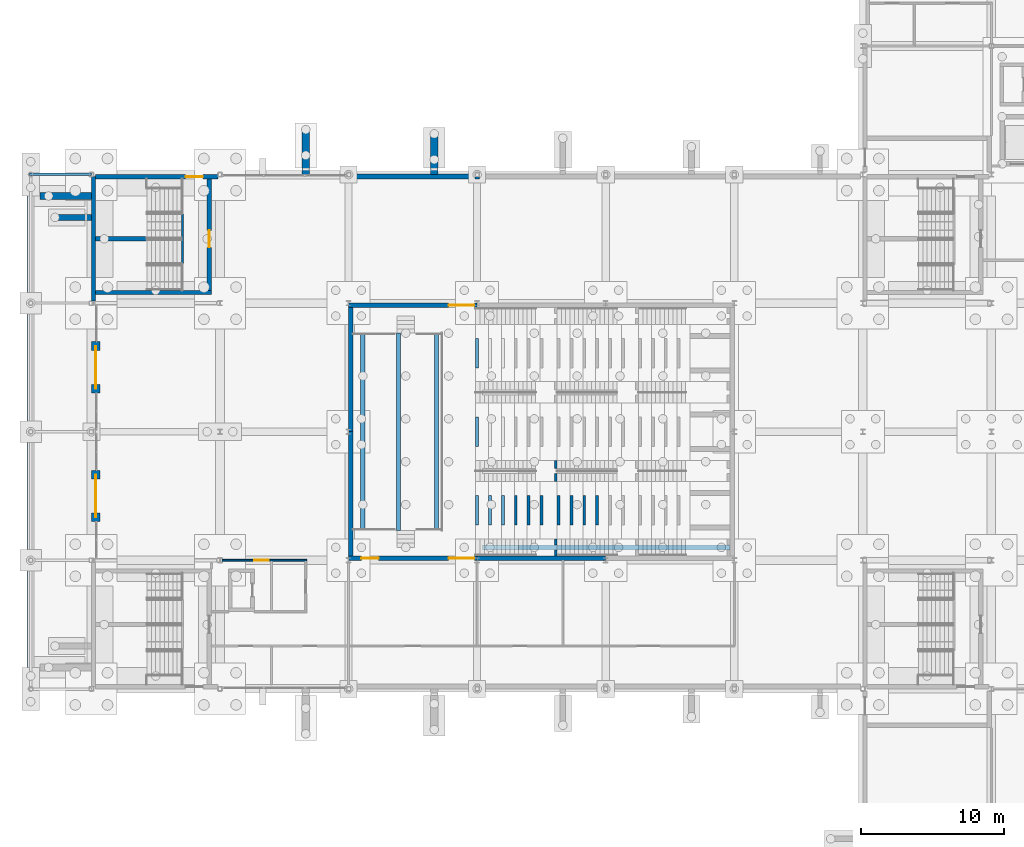
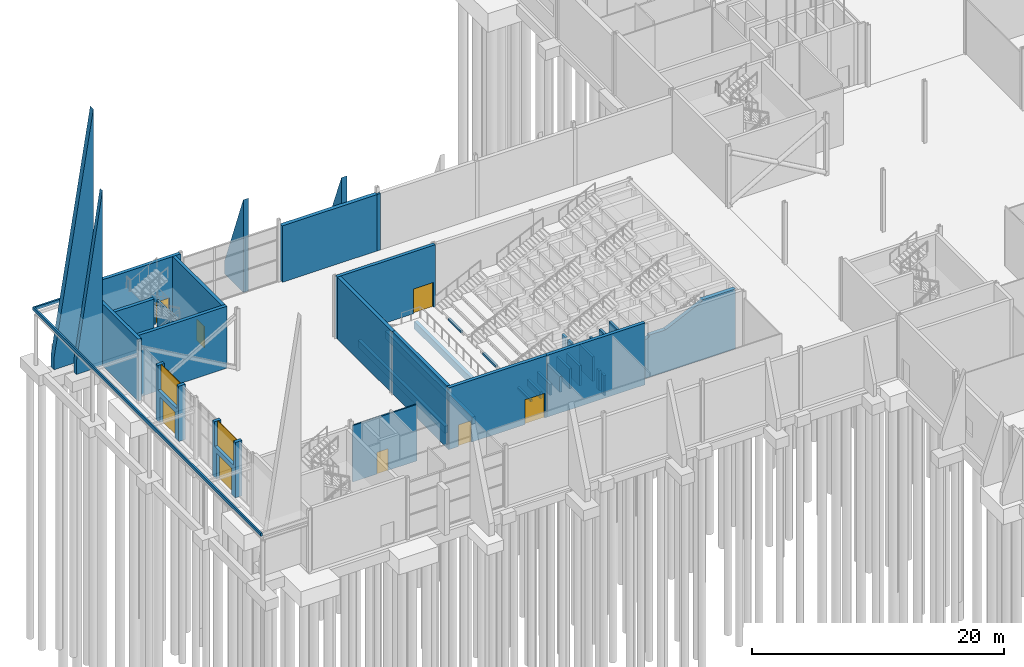
# One storey, part 105 of 139: 42 walls, 8 doors, 2 windows, 10 openings.
"""IFC4 building model written with IfcOpenShell, lengths in metres."""

from ifc_helpers import new_model, si_unit, direction, frame, frame_2d, origin, place, context, subcontext, project, spatial, polyline, rectangle, outline, extrude, material, layer, layer_set, type_object, element, fill, save


model = new_model("IFC4")

# Units and contexts
model_context = context("Model", 3, precision=1e-05, world=origin(), true_north=direction((0.0, 1.0)))
body_context = subcontext(model_context, "Body", "Model", "MODEL_VIEW")
ifc_project = project(units=[si_unit("LENGTHUNIT", "METRE"), si_unit("AREAUNIT", "SQUARE_METRE"), si_unit("VOLUMEUNIT", "CUBIC_METRE"), si_unit("PLANEANGLEUNIT", "RADIAN"), si_unit("MASSUNIT", "GRAM", prefix="KILO")], contexts=[model_context])

# Site, building, storey
site_placement = place(None, origin())
site = spatial("IfcSite", under=ifc_project, at=site_placement, CompositionType="ELEMENT")
building_placement = place(site_placement, origin())
building = spatial("IfcBuilding", under=site, at=building_placement, Name="Shorebreak Coast Museum", CompositionType="ELEMENT")
storey_placement = place(building_placement, origin())
storey = spatial("IfcBuildingStorey", under=building, at=storey_placement, Name="L00", CompositionType="ELEMENT", Elevation=0.0)

# Walls
ifc_material_1 = material(Name="Concrete N50 (50 MPa)", Category="concrete")
ifc_layer_1 = layer(ifc_material_1, 0.14990234375)
ifc_layer_set_1 = layer_set([ifc_layer_1], Name="Concrete N50 (50 MPa)")
wall_type_1 = type_object("IfcWallType", Name="Arcade roof upstand 150", PredefinedType="PARAPET", material=ifc_layer_set_1)
wall_1_placement = place(storey_placement, frame((-4.425048828125, 53.89990234375, 5.0), z_axis=(0.0, 0.0, 1.0), x_axis=(0.0, 1.0, 0.0)))
element("IfcWall", 1, at=wall_1_placement, inside=storey, type_object=wall_type_1, Name="Arcade roof upstand west 1", PredefinedType="PARAPET", context=body_context, shape_type="SweptSolid", body=[
    extrude(rectangle(XDim=36.2001953125, YDim=0.14990234375, at=frame_2d((18.10009765625, 0.0))), origin(), (0.0, 0.0, 1.0), 0.300048828125),
])
wall_2_placement = place(storey_placement, frame((0.0, 90.02490234375, 5.0), z_axis=(0.0, 0.0, 1.0), x_axis=(-1.0, 0.0, 0.0)))
element("IfcWall", 2, at=wall_2_placement, inside=storey, type_object=wall_type_1, Name="Arcade roof upstand west 1 end 2", PredefinedType="PARAPET", context=body_context, shape_type="SweptSolid", body=[
    extrude(rectangle(XDim=4.35009765625, YDim=0.14990234375, at=frame_2d((2.175048828125, 0.0))), origin(), (0.0, 0.0, 1.0), 0.300048828125),
])
ifc_material_2 = material(Name="Concrete N50 (50 MPa)", Category="concrete")
ifc_layer_2 = layer(ifc_material_2, 0.175048828125)
ifc_layer_set_2 = layer_set([ifc_layer_2], Name="Concrete N50 (50 MPa)")
wall_type_2 = type_object("IfcWallType", Name="Column closure panel 175", PredefinedType="SOLIDWALL", material=ifc_layer_set_2)
wall_3_placement = place(storey_placement, frame((26.839111328125, 89.762451171875, 0.0), z_axis=(0.0, 0.0, 1.0), x_axis=(1.0, 0.0, 0.0)))
element("IfcWall", 3, at=wall_3_placement, inside=storey, type_object=wall_type_2, Name="Column closure panel L00 N 4L", PredefinedType="SOLIDWALL", context=body_context, shape_type="SweptSolid", body=[
    extrude(rectangle(XDim=0.32177734375, YDim=0.175048828125, at=frame_2d((0.160888671875, 0.0))), origin(), (0.0, 0.0, 1.0), 5.469482421875),
])

# Wall, openings, door, window
ifc_material_3 = material(Name="Concrete N50 (50 MPa)", Category="concrete")
ifc_layer_3 = layer(ifc_material_3, 0.60009765625)
ifc_layer_set_3 = layer_set([ifc_layer_3], Name="Concrete N50 (50 MPa)")
wall_type_3 = type_object("IfcWallType", Name="Entrance portal panel 600", PredefinedType="SOLIDWALL", material=ifc_layer_set_3)
wall_4_placement = place(storey_placement, frame((0.300048828125, 65.699951171875, 0.0), z_axis=(0.0, 0.0, 1.0), x_axis=(0.0, 1.0, 0.0)))
wall_4 = element("IfcWall", 4, at=wall_4_placement, inside=storey, type_object=wall_type_3, Name="Entrance portal ENT-W", PredefinedType="SOLIDWALL", context=body_context, shape_type="SweptSolid", body=[
    extrude(rectangle(XDim=3.60009765625, YDim=0.60009765625, at=frame_2d((1.800048828125, 0.0))), origin(), (0.0, 0.0, 1.0), 5.364501953125),
])
opening_1_placement = place(wall_4_placement, frame((0.60009765625, 0.0, 0.0)))
opening_1 = element("IfcOpeningElement", 5, at=opening_1_placement, cuts=wall_4, Name="Opening D0907", PredefinedType="OPENING", context=body_context, shape_type="SweptSolid", body=[
    extrude(rectangle(XDim=2.39990234375, YDim=2.5, at=frame_2d((1.199951171875, 1.25))), frame((0.0, 0.31005859375, 0.0), z_axis=(0.0, -1.0, 0.0), x_axis=(1.0, 0.0, 0.0)), (0.0, 0.0, 1.0), 0.6201171875),
])
opening_2_placement = place(wall_4_placement, frame((0.300048828125, 0.0, 3.0)))
opening_2 = element("IfcOpeningElement", 6, at=opening_2_placement, cuts=wall_4, Name="Opening WN0013", PredefinedType="OPENING", context=body_context, shape_type="SweptSolid", body=[
    extrude(rectangle(XDim=3.0, YDim=2.39990234375, at=frame_2d((1.5, 1.199951171875))), frame((0.0, 0.31005859375, 0.0), z_axis=(0.0, -1.0, 0.0), x_axis=(1.0, 0.0, 0.0)), (0.0, 0.0, 1.0), 0.6201171875),
])
ifc_material_4 = material(Name="Aluminium", Category="aluminium")
door_type_1 = type_object("IfcDoorType", Name="Entrance automatic sliding pair 2400 x 2500", OperationType="DOUBLE_DOOR_SLIDING", PredefinedType="DOOR", material=ifc_material_4)
door_1_placement = place(opening_1_placement, origin())
door_1 = element("IfcDoor", 7, at=door_1_placement, inside=storey, type_object=door_type_1, Name="Main entrance ENT-W D0907", OperationType="DOUBLE_DOOR_SLIDING", OverallHeight=2.5, OverallWidth=2.39990234375, PredefinedType="DOOR", context=body_context, shape_type="SweptSolid", body=[
    extrude(rectangle(XDim=2.39990234375, YDim=2.5, at=frame_2d((1.199951171875, 1.25))), frame((0.0, 0.02490234375, 0.0), z_axis=(0.0, -1.0, 0.0), x_axis=(1.0, 0.0, 0.0)), (0.0, 0.0, 1.0), 0.050048828125),
])
fill(opening_1, door_1)
ifc_material_5 = material(Name="Aluminium", Category="aluminium")
window_type = type_object("IfcWindowType", Name="Entrance transom light 3000 x 2400", PartitioningType="SINGLE_PANEL", PredefinedType="WINDOW", material=ifc_material_5)
window_1_placement = place(opening_2_placement, origin())
window_1 = element("IfcWindow", 8, at=window_1_placement, inside=storey, type_object=window_type, Name="Window WN0013", OverallHeight=2.39990234375, OverallWidth=3.0, PartitioningType="SINGLE_PANEL", PredefinedType="WINDOW", context=body_context, shape_type="SweptSolid", body=[
    extrude(rectangle(XDim=3.0, YDim=2.39990234375, at=frame_2d((1.5, 1.199951171875))), frame((0.0, 0.030029296875, 0.0), z_axis=(0.0, -1.0, 0.0), x_axis=(1.0, 0.0, 0.0)), (0.0, 0.0, 1.0), 0.06005859375),
])
fill(opening_2, window_1)

wall_5_placement = place(storey_placement, frame((0.300048828125, 74.699951171875, 0.0), z_axis=(0.0, 0.0, 1.0), x_axis=(0.0, 1.0, 0.0)))
wall_5 = element("IfcWall", 9, at=wall_5_placement, inside=storey, type_object=wall_type_3, Name="Entrance portal ENT-W", PredefinedType="SOLIDWALL", context=body_context, shape_type="SweptSolid", body=[
    extrude(rectangle(XDim=3.60009765625, YDim=0.60009765625, at=frame_2d((1.800048828125, 0.0))), origin(), (0.0, 0.0, 1.0), 5.364501953125),
])
opening_3_placement = place(wall_5_placement, frame((0.60009765625, 0.0, 0.0)))
opening_3 = element("IfcOpeningElement", 10, at=opening_3_placement, cuts=wall_5, Name="Opening D0908", PredefinedType="OPENING", context=body_context, shape_type="SweptSolid", body=[
    extrude(rectangle(XDim=2.39990234375, YDim=2.5, at=frame_2d((1.199951171875, 1.25))), frame((0.0, 0.31005859375, 0.0), z_axis=(0.0, -1.0, 0.0), x_axis=(1.0, 0.0, 0.0)), (0.0, 0.0, 1.0), 0.6201171875),
])
opening_4_placement = place(wall_5_placement, frame((0.300048828125, 0.0, 3.0)))
opening_4 = element("IfcOpeningElement", 11, at=opening_4_placement, cuts=wall_5, Name="Opening WN0014", PredefinedType="OPENING", context=body_context, shape_type="SweptSolid", body=[
    extrude(rectangle(XDim=3.0, YDim=2.39990234375, at=frame_2d((1.5, 1.199951171875))), frame((0.0, 0.31005859375, 0.0), z_axis=(0.0, -1.0, 0.0), x_axis=(1.0, 0.0, 0.0)), (0.0, 0.0, 1.0), 0.6201171875),
])
door_2_placement = place(opening_3_placement, origin())
door_2 = element("IfcDoor", 12, at=door_2_placement, inside=storey, type_object=door_type_1, Name="Main entrance ENT-W D0908", OperationType="DOUBLE_DOOR_SLIDING", OverallHeight=2.5, OverallWidth=2.39990234375, PredefinedType="DOOR", context=body_context, shape_type="SweptSolid", body=[
    extrude(rectangle(XDim=2.39990234375, YDim=2.5, at=frame_2d((1.199951171875, 1.25))), frame((0.0, 0.02490234375, 0.0), z_axis=(0.0, -1.0, 0.0), x_axis=(1.0, 0.0, 0.0)), (0.0, 0.0, 1.0), 0.050048828125),
])
fill(opening_3, door_2)
window_2_placement = place(opening_4_placement, origin())
window_2 = element("IfcWindow", 13, at=window_2_placement, inside=storey, type_object=window_type, Name="Window WN0014", OverallHeight=2.39990234375, OverallWidth=3.0, PartitioningType="SINGLE_PANEL", PredefinedType="WINDOW", context=body_context, shape_type="SweptSolid", body=[
    extrude(rectangle(XDim=3.0, YDim=2.39990234375, at=frame_2d((1.5, 1.199951171875))), frame((0.0, 0.030029296875, 0.0), z_axis=(0.0, -1.0, 0.0), x_axis=(1.0, 0.0, 0.0)), (0.0, 0.0, 1.0), 0.06005859375),
])
fill(opening_4, window_2)

# Wall, opening, door
ifc_material_6 = material(Name="Plasterboard on steel stud", Category="steel")
ifc_layer_4 = layer(ifc_material_6, 0.125)
ifc_layer_set_4 = layer_set([ifc_layer_4], Name="Plasterboard on steel stud")
wall_type_4 = type_object("IfcWallType", Name="Partition 125", PredefinedType="PARTITIONING", material=ifc_layer_set_4)
wall_6_placement = place(storey_placement, frame((9.154541015625, 63.0, 0.0), z_axis=(0.0, 0.0, 1.0), x_axis=(1.0, 0.0, 0.0)))
wall_6 = element("IfcWall", 14, at=wall_6_placement, inside=storey, type_object=wall_type_4, Name="Partition L00-042", PredefinedType="PARTITIONING", context=body_context, shape_type="SweptSolid", body=[
    extrude(rectangle(XDim=5.907958984375, YDim=0.125, at=frame_2d((2.9541015625, 0.0))), origin(), (0.0, 0.0, 1.0), 5.469482421875),
])
opening_5_placement = place(wall_6_placement, frame((2.25, 0.0, 0.0)))
opening_5 = element("IfcOpeningElement", 15, at=opening_5_placement, cuts=wall_6, Name="Opening D0029", PredefinedType="OPENING", context=body_context, shape_type="SweptSolid", body=[
    extrude(rectangle(XDim=1.0, YDim=2.10009765625, at=frame_2d((0.5, 1.050048828125))), frame((0.0, 0.072509765625, 0.0), z_axis=(0.0, -1.0, 0.0), x_axis=(1.0, 0.0, 0.0)), (0.0, 0.0, 1.0), 0.14501953125),
])
ifc_material_7 = material(Name="Timber", Category="wood")
door_type_2 = type_object("IfcDoorType", Name="Interior door 1000x2100", OperationType="SINGLE_SWING_LEFT", PredefinedType="DOOR", material=ifc_material_7)
door_3_placement = place(opening_5_placement, origin())
door_3 = element("IfcDoor", 16, at=door_3_placement, inside=storey, type_object=door_type_2, Name="Door D0029 Cleaner Store W", OperationType="SINGLE_SWING_RIGHT", OverallHeight=2.10009765625, OverallWidth=1.0, PredefinedType="DOOR", context=body_context, shape_type="SweptSolid", body=[
    extrude(rectangle(XDim=1.0, YDim=2.10009765625, at=frame_2d((0.5, 1.050048828125))), frame((0.0, 0.02490234375, 0.0), z_axis=(0.0, -1.0, 0.0), x_axis=(1.0, 0.0, 0.0)), (0.0, 0.0, 1.0), 0.050048828125),
])
fill(opening_5, door_3)

# Walls
ifc_material_8 = material(Name="Concrete N50 (50 MPa)", Category="concrete")
ifc_layer_5 = layer(ifc_material_8, 0.35009765625)
ifc_layer_set_5 = layer_set([ifc_layer_5], Name="Concrete N50 (50 MPa)")
wall_type_5 = type_object("IfcWallType", Name="Precast plinth panel 350", PredefinedType="SOLIDWALL", material=ifc_layer_set_5)
wall_7_placement = place(storey_placement, frame((18.14990234375, 89.85009765625, 0.0), z_axis=(0.0, 0.0, 1.0), x_axis=(1.0, 0.0, 0.0)))
element("IfcWall", 17, at=wall_7_placement, inside=storey, type_object=wall_type_5, Name="External wall L00 N 3L", PredefinedType="SOLIDWALL", context=body_context, shape_type="SweptSolid", body=[
    extrude(rectangle(XDim=8.689208984375, YDim=0.35009765625, at=frame_2d((4.3447265625, 0.0))), origin(), (0.0, 0.0, 1.0), 5.469482421875),
])
ifc_material_9 = material(Name="Concrete N50 (50 MPa)", Category="concrete")
ifc_layer_6 = layer(ifc_material_9, 0.300048828125)
ifc_layer_set_6 = layer_set([ifc_layer_6], Name="Concrete N50 (50 MPa)")
wall_type_6 = type_object("IfcWallType", Name="RC wall 300", PredefinedType="SHEAR", material=ifc_layer_set_6)
wall_8_placement = place(storey_placement, frame((0.300048828125, 81.75, 0.0), z_axis=(0.0, 0.0, 1.0), x_axis=(1.0, 0.0, 0.0)))
element("IfcWall", 18, at=wall_8_placement, inside=storey, type_object=wall_type_6, Name="Stair core wall ST06 L00 S", PredefinedType="SHEAR", context=body_context, shape_type="SweptSolid", body=[
    extrude(rectangle(XDim=8.099853515625, YDim=0.300048828125, at=frame_2d((4.0498046875, 0.0))), origin(), (0.0, 0.0, 1.0), 6.0),
])

# Wall, opening, door
wall_9_placement = place(storey_placement, frame((0.300048828125, 89.85009765625, 0.0), z_axis=(0.0, 0.0, 1.0), x_axis=(1.0, 0.0, 0.0)))
wall_9 = element("IfcWall", 19, at=wall_9_placement, inside=storey, type_object=wall_type_6, Name="Stair core wall ST06 L00 N", PredefinedType="SHEAR", context=body_context, shape_type="SweptSolid", body=[
    extrude(rectangle(XDim=8.550048828125, YDim=0.300048828125, at=frame_2d((4.27490234375, 0.0))), origin(), (0.0, 0.0, 1.0), 6.0),
])
opening_6_placement = place(wall_9_placement, frame((6.300048828125, 0.0, 0.0)))
opening_6 = element("IfcOpeningElement", 20, at=opening_6_placement, cuts=wall_9, Name="Opening D0706", PredefinedType="OPENING", context=body_context, shape_type="SweptSolid", body=[
    extrude(rectangle(XDim=1.199951171875, YDim=2.10009765625, at=frame_2d((0.60009765625, 1.050048828125))), frame((0.0, 0.159912109375, 0.0), z_axis=(0.0, -1.0, 0.0), x_axis=(1.0, 0.0, 0.0)), (0.0, 0.0, 1.0), 0.320068359375),
])
ifc_material_10 = material(Name="Steel Grade 300", Category="steel")
door_type_3 = type_object("IfcDoorType", Name="Exit door 1200x2100", OperationType="SINGLE_SWING_LEFT", PredefinedType="DOOR", material=ifc_material_10)
door_4_placement = place(opening_6_placement, origin())
door_4 = element("IfcDoor", 21, at=door_4_placement, inside=storey, type_object=door_type_3, Name="Exit door ST06", OperationType="SINGLE_SWING_LEFT", OverallHeight=2.10009765625, OverallWidth=1.199951171875, PredefinedType="DOOR", context=body_context, shape_type="SweptSolid", body=[
    extrude(rectangle(XDim=1.199951171875, YDim=2.10009765625, at=frame_2d((0.60009765625, 1.050048828125))), frame((0.0, 0.02490234375, 0.0), z_axis=(0.0, -1.0, 0.0), x_axis=(1.0, 0.0, 0.0)), (0.0, 0.0, 1.0), 0.050048828125),
])
fill(opening_6, door_4)

# Wall
wall_10_placement = place(storey_placement, frame((0.14990234375, 81.14990234375, 0.0), z_axis=(0.0, 0.0, 1.0), x_axis=(0.0, 1.0, 0.0)))
element("IfcWall", 22, at=wall_10_placement, inside=storey, type_object=wall_type_6, Name="Stair core wall ST06 L00 W", PredefinedType="SHEAR", context=body_context, shape_type="SweptSolid", body=[
    extrude(rectangle(XDim=8.7001953125, YDim=0.300048828125, at=frame_2d((4.35009765625, 0.0))), origin(), (0.0, 0.0, 1.0), 6.0),
])

# Wall, opening, door
wall_11_placement = place(storey_placement, frame((8.25, 81.89990234375, 0.0), z_axis=(0.0, 0.0, 1.0), x_axis=(0.0, 1.0, 0.0)))
wall_11 = element("IfcWall", 23, at=wall_11_placement, inside=storey, type_object=wall_type_6, Name="Stair core wall ST06 L00 E", PredefinedType="SHEAR", context=body_context, shape_type="SweptSolid", body=[
    extrude(rectangle(XDim=7.800048828125, YDim=0.300048828125, at=frame_2d((3.89990234375, 0.0))), origin(), (0.0, 0.0, 1.0), 6.0),
])
opening_7_placement = place(wall_11_placement, frame((3.0, 0.0, 0.0)))
opening_7 = element("IfcOpeningElement", 24, at=opening_7_placement, cuts=wall_11, Name="Opening D0806", PredefinedType="OPENING", context=body_context, shape_type="SweptSolid", body=[
    extrude(rectangle(XDim=1.199951171875, YDim=2.10009765625, at=frame_2d((0.60009765625, 1.050048828125))), frame((0.0, 0.159912109375, 0.0), z_axis=(0.0, -1.0, 0.0), x_axis=(1.0, 0.0, 0.0)), (0.0, 0.0, 1.0), 0.320068359375),
])
ifc_material_11 = material(Name="Steel Grade 300", Category="steel")
door_type_4 = type_object("IfcDoorType", Name="Fire door 1200x2100", OperationType="SINGLE_SWING_LEFT", PredefinedType="DOOR", material=ifc_material_11)
door_5_placement = place(opening_7_placement, origin())
door_5 = element("IfcDoor", 25, at=door_5_placement, inside=storey, type_object=door_type_4, Name="Stair door ST06 L00", OperationType="SINGLE_SWING_RIGHT", OverallHeight=2.10009765625, OverallWidth=1.199951171875, PredefinedType="DOOR", context=body_context, shape_type="SweptSolid", body=[
    extrude(rectangle(XDim=1.199951171875, YDim=2.10009765625, at=frame_2d((0.60009765625, 1.050048828125))), frame((0.0, 0.02490234375, 0.0), z_axis=(0.0, -1.0, 0.0), x_axis=(1.0, 0.0, 0.0)), (0.0, 0.0, 1.0), 0.050048828125),
])
fill(opening_7, door_5)

# Wall
wall_12_placement = place(storey_placement, frame((3.89990234375, 85.5, 0.0), z_axis=(0.0, 0.0, 1.0), x_axis=(-1.0, 0.0, 0.0)))
element("IfcWall", 26, at=wall_12_placement, inside=storey, type_object=wall_type_6, Name="Stair spine wall ST06 L00", PredefinedType="SHEAR", context=body_context, shape_type="SweptSolid", body=[
    extrude(rectangle(XDim=3.599853515625, YDim=0.300048828125, at=frame_2d((1.7998046875, 0.0))), origin(), (0.0, 0.0, 1.0), 6.0),
])

# Wall, openings, doors
wall_13_placement = place(storey_placement, frame((18.0, 63.14990234375, 0.0), z_axis=(0.0, 0.0, 1.0), x_axis=(1.0, 0.0, 0.0)))
wall_13 = element("IfcWall", 27, at=wall_13_placement, inside=storey, type_object=wall_type_6, Name="Auditorium wall L00 S1", PredefinedType="SHEAR", context=body_context, shape_type="SweptSolid", body=[
    extrude(rectangle(XDim=9.0, YDim=0.300048828125, at=frame_2d((4.5, 0.0))), origin(), (0.0, 0.0, 1.0), 6.0),
])
opening_8_placement = place(wall_13_placement, frame((7.0, 0.0, 0.0)))
opening_8 = element("IfcOpeningElement", 28, at=opening_8_placement, cuts=wall_13, Name="Opening D0501", PredefinedType="OPENING", context=body_context, shape_type="SweptSolid", body=[
    extrude(rectangle(XDim=1.800048828125, YDim=2.39990234375, at=frame_2d((0.89990234375, 1.199951171875))), frame((0.0, 0.159912109375, 0.0), z_axis=(0.0, -1.0, 0.0), x_axis=(1.0, 0.0, 0.0)), (0.0, 0.0, 1.0), 0.320068359375),
])
opening_9_placement = place(wall_13_placement, frame((0.89990234375, 0.0, 0.0)))
opening_9 = element("IfcOpeningElement", 29, at=opening_9_placement, cuts=wall_13, Name="Opening D0503", PredefinedType="OPENING", context=body_context, shape_type="SweptSolid", body=[
    extrude(rectangle(XDim=1.199951171875, YDim=2.10009765625, at=frame_2d((0.60009765625, 1.050048828125))), frame((0.0, 0.159912109375, 0.0), z_axis=(0.0, -1.0, 0.0), x_axis=(1.0, 0.0, 0.0)), (0.0, 0.0, 1.0), 0.320068359375),
])
ifc_material_12 = material(Name="Steel Grade 300", Category="steel")
door_type_5 = type_object("IfcDoorType", Name="Exit double door 1800x2400", OperationType="DOUBLE_DOOR_SINGLE_SWING", PredefinedType="DOOR", material=ifc_material_12)
door_6_placement = place(opening_8_placement, origin())
door_6 = element("IfcDoor", 30, at=door_6_placement, inside=storey, type_object=door_type_5, Name="Auditorium exit south", OperationType="DOUBLE_DOOR_SINGLE_SWING", OverallHeight=2.39990234375, OverallWidth=1.800048828125, PredefinedType="DOOR", context=body_context, shape_type="SweptSolid", body=[
    extrude(rectangle(XDim=1.800048828125, YDim=2.39990234375, at=frame_2d((0.89990234375, 1.199951171875))), frame((0.0, 0.02490234375, 0.0), z_axis=(0.0, -1.0, 0.0), x_axis=(1.0, 0.0, 0.0)), (0.0, 0.0, 1.0), 0.050048828125),
])
fill(opening_8, door_6)
ifc_material_13 = material(Name="Steel Grade 300", Category="steel")
door_type_6 = type_object("IfcDoorType", Name="Stage door 1200x2100", OperationType="SINGLE_SWING_LEFT", PredefinedType="DOOR", material=ifc_material_13)
door_7_placement = place(opening_9_placement, origin())
door_7 = element("IfcDoor", 31, at=door_7_placement, inside=storey, type_object=door_type_6, Name="Stage door", OperationType="SINGLE_SWING_LEFT", OverallHeight=2.10009765625, OverallWidth=1.199951171875, PredefinedType="DOOR", context=body_context, shape_type="SweptSolid", body=[
    extrude(rectangle(XDim=1.199951171875, YDim=2.10009765625, at=frame_2d((0.60009765625, 1.050048828125))), frame((0.0, 0.02490234375, 0.0), z_axis=(0.0, -1.0, 0.0), x_axis=(1.0, 0.0, 0.0)), (0.0, 0.0, 1.0), 0.050048828125),
])
fill(opening_9, door_7)

# Wall
wall_14_placement = place(storey_placement, frame((27.0, 63.14990234375, 0.0), z_axis=(0.0, 0.0, 1.0), x_axis=(1.0, 0.0, 0.0)))
element("IfcWall", 32, at=wall_14_placement, inside=storey, type_object=wall_type_6, Name="Auditorium wall L00 S2", PredefinedType="SHEAR", context=body_context, shape_type="SweptSolid", body=[
    extrude(rectangle(XDim=9.0, YDim=0.300048828125, at=frame_2d((4.5, 0.0))), origin(), (0.0, 0.0, 1.0), 6.0),
])

# Wall, opening, door
wall_15_placement = place(storey_placement, frame((18.0, 80.85009765625, 0.0), z_axis=(0.0, 0.0, 1.0), x_axis=(1.0, 0.0, 0.0)))
wall_15 = element("IfcWall", 33, at=wall_15_placement, inside=storey, type_object=wall_type_6, Name="Auditorium wall L00 N1", PredefinedType="SHEAR", context=body_context, shape_type="SweptSolid", body=[
    extrude(rectangle(XDim=9.0, YDim=0.300048828125, at=frame_2d((4.5, 0.0))), origin(), (0.0, 0.0, 1.0), 6.0),
])
opening_10_placement = place(wall_15_placement, frame((7.0, 0.0, 0.0)))
opening_10 = element("IfcOpeningElement", 34, at=opening_10_placement, cuts=wall_15, Name="Opening D0502", PredefinedType="OPENING", context=body_context, shape_type="SweptSolid", body=[
    extrude(rectangle(XDim=1.800048828125, YDim=2.39990234375, at=frame_2d((0.89990234375, 1.199951171875))), frame((0.0, 0.159912109375, 0.0), z_axis=(0.0, -1.0, 0.0), x_axis=(1.0, 0.0, 0.0)), (0.0, 0.0, 1.0), 0.320068359375),
])
door_8_placement = place(opening_10_placement, origin())
door_8 = element("IfcDoor", 35, at=door_8_placement, inside=storey, type_object=door_type_5, Name="Auditorium exit north", OperationType="DOUBLE_DOOR_SINGLE_SWING", OverallHeight=2.39990234375, OverallWidth=1.800048828125, PredefinedType="DOOR", context=body_context, shape_type="SweptSolid", body=[
    extrude(rectangle(XDim=1.800048828125, YDim=2.39990234375, at=frame_2d((0.89990234375, 1.199951171875))), frame((0.0, 0.02490234375, 0.0), z_axis=(0.0, -1.0, 0.0), x_axis=(1.0, 0.0, 0.0)), (0.0, 0.0, 1.0), 0.050048828125),
])
fill(opening_10, door_8)

# Walls
for number, where, z_axis, x_axis, name in (
    (36, (18.14990234375, 63.300048828125, 0.0), (0.0, 0.0, 1.0), (0.0, 1.0, 0.0), "Auditorium wall L00 W1"),
    (37, (18.14990234375, 72.0, 0.0), (0.0, 0.0, 1.0), (0.0, 1.0, 0.0), "Auditorium wall L00 W2"),
):
    element("IfcWall", number, at=place(storey_placement, frame(where, z_axis=z_axis, x_axis=x_axis)), inside=storey, type_object=wall_type_6, Name=name, PredefinedType="SHEAR", context=body_context, shape_type="SweptSolid", body=[
        extrude(rectangle(XDim=8.699951171875, YDim=0.300048828125, at=frame_2d((4.35009765625, 0.0))), origin(), (0.0, 0.0, 1.0), 6.0),
    ])
ifc_material_14 = material(Name="Concrete N50 (50 MPa)", Category="concrete")
ifc_layer_7 = layer(ifc_material_14, 0.39990234375)
ifc_layer_set_7 = layer_set([ifc_layer_7], Name="Concrete N50 (50 MPa)")
wall_type_7 = type_object("IfcWallType", Name="Raked fin 400", PredefinedType="SOLIDWALL", material=ifc_layer_set_7)
wall_16_placement = place(storey_placement, frame((0.0, 87.0, 0.0), z_axis=(0.0, 0.0, 1.0), x_axis=(-1.0, 0.0, 0.0)))
element("IfcWall", 38, at=wall_16_placement, inside=storey, type_object=wall_type_7, Name="Raked fin W03", PredefinedType="SOLIDWALL", context=body_context, shape_type="SweptSolid", body=[
    extrude(outline(polyline([(0.0, 0.0), (2.39990234375, 0.0), (2.39990234375, 1.199951171875), (0.0, 17.0), (0.0, 0.0)])), frame((0.0, 0.199951171875, 0.0), z_axis=(0.0, -1.0, 0.0), x_axis=(1.0, 0.0, 0.0)), (0.0, 0.0, 1.0), 0.39990234375),
])
ifc_material_15 = material(Name="Concrete N50 (50 MPa)", Category="concrete")
ifc_layer_8 = layer(ifc_material_15, 0.5)
ifc_layer_set_8 = layer_set([ifc_layer_8], Name="Concrete N50 (50 MPa)")
wall_type_8 = type_object("IfcWallType", Name="Raked fin 500", PredefinedType="SOLIDWALL", material=ifc_layer_set_8)
wall_17_placement = place(storey_placement, frame((0.0, 88.5, 0.0), z_axis=(0.0, 0.0, 1.0), x_axis=(-1.0, 0.0, 0.0)))
element("IfcWall", 39, at=wall_17_placement, inside=storey, type_object=wall_type_8, Name="Raked fin W04", PredefinedType="SOLIDWALL", context=body_context, shape_type="SweptSolid", body=[
    extrude(outline(polyline([(0.0, 0.0), (3.60009765625, 0.0), (3.60009765625, 1.199951171875), (0.0, 24.0), (0.0, 0.0)])), frame((0.0, 0.25, 0.0), z_axis=(0.0, -1.0, 0.0), x_axis=(1.0, 0.0, 0.0)), (0.0, 0.0, 1.0), 0.5),
])
wall_18_placement = place(storey_placement, frame((15.0, 90.0, 0.0), z_axis=(0.0, 0.0, 1.0), x_axis=(0.0, 1.0, 0.0)))
element("IfcWall", 40, at=wall_18_placement, inside=storey, type_object=wall_type_8, Name="Raked fin WN09", PredefinedType="SOLIDWALL", context=body_context, shape_type="SweptSolid", body=[
    extrude(outline(polyline([(0.0, 0.0), (3.0, 0.0), (3.0, 1.199951171875), (0.0, 9.0), (0.0, 0.0)])), frame((0.0, 0.25, 0.0), z_axis=(0.0, -1.0, 0.0), x_axis=(1.0, 0.0, 0.0)), (0.0, 0.0, 1.0), 0.5),
])
wall_19_placement = place(storey_placement, frame((24.0, 90.0, 0.0), z_axis=(0.0, 0.0, 1.0), x_axis=(0.0, 1.0, 0.0)))
element("IfcWall", 41, at=wall_19_placement, inside=storey, type_object=wall_type_8, Name="Raked fin WN10", PredefinedType="SOLIDWALL", context=body_context, shape_type="SweptSolid", body=[
    extrude(outline(polyline([(0.0, 0.0), (2.699951171875, 0.0), (2.699951171875, 1.199951171875), (0.0, 8.0), (0.0, 0.0)])), frame((0.0, 0.25, 0.0), z_axis=(0.0, -1.0, 0.0), x_axis=(1.0, 0.0, 0.0)), (0.0, 0.0, 1.0), 0.5),
])
ifc_material_16 = material(Name="Concrete N50 (50 MPa)", Category="concrete")
ifc_layer_9 = layer(ifc_material_16, 0.35009765625)
ifc_layer_set_9 = layer_set([ifc_layer_9], Name="Concrete N50 (50 MPa)")
wall_type_9 = type_object("IfcWallType", Name="Raker wall 350", PredefinedType="SHEAR", material=ifc_layer_set_9)
wall_20_placement = place(storey_placement, frame((27.365234375, 63.89990234375, 0.0), z_axis=(0.0, 0.0, 1.0), x_axis=(1.0, 0.0, 0.0)))
element("IfcWall", 42, at=wall_20_placement, inside=storey, type_object=wall_type_9, Name="Raker wall 6390", PredefinedType="SHEAR", context=body_context, shape_type="SweptSolid", body=[
    extrude(outline(polyline([(0.0, 0.0), (17.334716796875, 0.0), (17.334716796875, 5.800048828125), (14.23486328125, 5.800048828125), (14.23486328125, 5.635498046875), (11.39990234375, 4.28564453125), (10.934814453125, 4.085693359375), (9.434814453125, 4.085693359375), (9.434814453125, 3.92138671875), (5.699951171875, 2.142822265625), (5.23486328125, 1.94287109375), (3.73486328125, 1.94287109375), (3.73486328125, 1.778564453125), (0.0, 0.0), (0.0, 0.0)])), frame((0.0, 0.175048828125, 0.0), z_axis=(0.0, -1.0, 0.0), x_axis=(1.0, 0.0, 0.0)), (0.0, 0.0, 1.0), 0.35009765625),
])
ifc_material_17 = material(Name="Concrete N50 (50 MPa)", Category="concrete")
ifc_layer_10 = layer(ifc_material_17, 0.300048828125)
ifc_layer_set_10 = layer_set([ifc_layer_10], Name="Concrete N50 (50 MPa)")
wall_type_10 = type_object("IfcWallType", Name="Stage support wall 300", PredefinedType="SHEAR", material=ifc_layer_set_10)
for number, where, z_axis, x_axis, name in (
    (43, (19.0, 65.10009765625, 0.0), (0.0, 0.0, 1.0), (0.0, 1.0, 0.0), "Stage support wall 1"),
    (44, (21.5, 65.10009765625, 0.0), (0.0, 0.0, 1.0), (0.0, 1.0, 0.0), "Stage support wall 2"),
    (45, (24.14990234375, 65.10009765625, 0.0), (0.0, 0.0, 1.0), (0.0, 1.0, 0.0), "Stage support wall 3"),
):
    element("IfcWall", number, at=place(storey_placement, frame(where, z_axis=z_axis, x_axis=x_axis)), inside=storey, type_object=wall_type_10, Name=name, PredefinedType="SHEAR", context=body_context, shape_type="SweptSolid", body=[
        extrude(rectangle(XDim=13.7998046875, YDim=0.300048828125, at=frame_2d((6.89990234375, 0.0))), origin(), (0.0, 0.0, 1.0), 0.699951171875),
    ])
ifc_material_18 = material(Name="Concrete N50 (50 MPa)", Category="concrete")
ifc_layer_11 = layer(ifc_material_18, 0.199951171875)
ifc_layer_set_11 = layer_set([ifc_layer_11], Name="Concrete N50 (50 MPa)")
wall_type_11 = type_object("IfcWallType", Name="Tier support wall 200", PredefinedType="SHEAR", material=ifc_layer_set_11)
for number, where, z_axis, x_axis, name in (
    (46, (27.0, 65.47509765625, 0.0), (0.0, 0.0, 1.0), (0.0, 1.0, 0.0), "Tier support wall 1 A"),
    (47, (27.0, 70.97509765625, 0.0), (0.0, 0.0, 1.0), (0.0, 1.0, 0.0), "Tier support wall 1 B"),
    (48, (27.0, 76.47509765625, 0.0), (0.0, 0.0, 1.0), (0.0, 1.0, 0.0), "Tier support wall 1 C"),
):
    element("IfcWall", number, at=place(storey_placement, frame(where, z_axis=z_axis, x_axis=x_axis)), inside=storey, type_object=wall_type_11, Name=name, PredefinedType="SHEAR", context=body_context, shape_type="SweptSolid", body=[
        extrude(rectangle(XDim=2.0498046875, YDim=0.199951171875, at=frame_2d((1.02490234375, 0.0))), origin(), (0.0, 0.0, 1.0), 0.228515625),
    ])
wall_21_placement = place(storey_placement, frame((27.89990234375, 65.47509765625, 0.0), z_axis=(0.0, 0.0, 1.0), x_axis=(0.0, 1.0, 0.0)))
element("IfcWall", 49, at=wall_21_placement, inside=storey, type_object=wall_type_11, Name="Tier support wall 2 A", PredefinedType="SHEAR", context=body_context, shape_type="SweptSolid", body=[
    extrude(rectangle(XDim=2.0498046875, YDim=0.199951171875, at=frame_2d((1.02490234375, 0.0))), origin(), (0.0, 0.0, 1.0), 0.656982421875),
])
wall_22_placement = place(storey_placement, frame((28.800048828125, 65.47509765625, 0.0), z_axis=(0.0, 0.0, 1.0), x_axis=(0.0, 1.0, 0.0)))
element("IfcWall", 50, at=wall_22_placement, inside=storey, type_object=wall_type_11, Name="Tier support wall 3 A", PredefinedType="SHEAR", context=body_context, shape_type="SweptSolid", body=[
    extrude(rectangle(XDim=2.0498046875, YDim=0.199951171875, at=frame_2d((1.02490234375, 0.0))), origin(), (0.0, 0.0, 1.0), 1.085693359375),
])
wall_23_placement = place(storey_placement, frame((29.699951171875, 65.47509765625, 0.0), z_axis=(0.0, 0.0, 1.0), x_axis=(0.0, 1.0, 0.0)))
element("IfcWall", 51, at=wall_23_placement, inside=storey, type_object=wall_type_11, Name="Tier support wall 4 A", PredefinedType="SHEAR", context=body_context, shape_type="SweptSolid", body=[
    extrude(rectangle(XDim=2.0498046875, YDim=0.199951171875, at=frame_2d((1.02490234375, 0.0))), origin(), (0.0, 0.0, 1.0), 1.514404296875),
])
wall_24_placement = place(storey_placement, frame((30.60009765625, 65.47509765625, 0.0), z_axis=(0.0, 0.0, 1.0), x_axis=(0.0, 1.0, 0.0)))
element("IfcWall", 52, at=wall_24_placement, inside=storey, type_object=wall_type_11, Name="Tier support wall 5 A", PredefinedType="SHEAR", context=body_context, shape_type="SweptSolid", body=[
    extrude(rectangle(XDim=2.0498046875, YDim=0.199951171875, at=frame_2d((1.02490234375, 0.0))), origin(), (0.0, 0.0, 1.0), 1.94287109375),
])
wall_25_placement = place(storey_placement, frame((32.699951171875, 65.47509765625, 0.0), z_axis=(0.0, 0.0, 1.0), x_axis=(0.0, 1.0, 0.0)))
element("IfcWall", 53, at=wall_25_placement, inside=storey, type_object=wall_type_11, Name="Tier support wall 6 A", PredefinedType="SHEAR", context=body_context, shape_type="SweptSolid", body=[
    extrude(rectangle(XDim=2.0498046875, YDim=0.199951171875, at=frame_2d((1.02490234375, 0.0))), origin(), (0.0, 0.0, 1.0), 2.371337890625),
])
wall_26_placement = place(storey_placement, frame((33.60009765625, 65.47509765625, 0.0), z_axis=(0.0, 0.0, 1.0), x_axis=(0.0, 1.0, 0.0)))
element("IfcWall", 54, at=wall_26_placement, inside=storey, type_object=wall_type_11, Name="Tier support wall 7 A", PredefinedType="SHEAR", context=body_context, shape_type="SweptSolid", body=[
    extrude(rectangle(XDim=2.0498046875, YDim=0.199951171875, at=frame_2d((1.02490234375, 0.0))), origin(), (0.0, 0.0, 1.0), 2.800048828125),
])
wall_27_placement = place(storey_placement, frame((34.5, 65.47509765625, 0.0), z_axis=(0.0, 0.0, 1.0), x_axis=(0.0, 1.0, 0.0)))
element("IfcWall", 55, at=wall_27_placement, inside=storey, type_object=wall_type_11, Name="Tier support wall 8 A", PredefinedType="SHEAR", context=body_context, shape_type="SweptSolid", body=[
    extrude(rectangle(XDim=2.0498046875, YDim=0.199951171875, at=frame_2d((1.02490234375, 0.0))), origin(), (0.0, 0.0, 1.0), 3.228515625),
])
wall_28_placement = place(storey_placement, frame((35.39990234375, 65.47509765625, 0.0), z_axis=(0.0, 0.0, 1.0), x_axis=(0.0, 1.0, 0.0)))
element("IfcWall", 56, at=wall_28_placement, inside=storey, type_object=wall_type_11, Name="Tier support wall 9 A", PredefinedType="SHEAR", context=body_context, shape_type="SweptSolid", body=[
    extrude(rectangle(XDim=2.0498046875, YDim=0.199951171875, at=frame_2d((1.02490234375, 0.0))), origin(), (0.0, 0.0, 1.0), 3.656982421875),
])
wall_29_placement = place(storey_placement, frame((31.5, 65.47509765625, 0.0), z_axis=(0.0, 0.0, 1.0), x_axis=(0.0, 1.0, 0.0)))
element("IfcWall", 57, at=wall_29_placement, inside=storey, type_object=wall_type_11, Name="Cross aisle support wall 1 A", PredefinedType="SHEAR", context=body_context, shape_type="SweptSolid", body=[
    extrude(rectangle(XDim=2.0498046875, YDim=0.199951171875, at=frame_2d((1.02490234375, 0.0))), origin(), (0.0, 0.0, 1.0), 1.94287109375),
])
for number, where, z_axis, x_axis, name in (
    (58, (32.5, 63.300048828125, 0.0), (0.0, 0.0, 1.0), (0.0, 1.0, 0.0), "Aisle landing support wall 1 1 south"),
    (59, (32.5, 64.074951171875, 0.0), (0.0, 0.0, 1.0), (0.0, 1.0, 0.0), "Aisle landing support wall 1 1 north"),
):
    element("IfcWall", number, at=place(storey_placement, frame(where, z_axis=z_axis, x_axis=x_axis)), inside=storey, type_object=wall_type_11, Name=name, PredefinedType="SHEAR", context=body_context, shape_type="SweptSolid", body=[
        extrude(rectangle(XDim=0.425048828125, YDim=0.199951171875, at=frame_2d((0.21240234375, 0.0))), origin(), (0.0, 0.0, 1.0), 1.94287109375),
    ])
for number, where, z_axis, x_axis, name in (
    (60, (32.5, 68.5, 0.0), (0.0, 0.0, 1.0), (0.0, 1.0, 0.0), "Aisle landing support wall 2 1 south"),
    (61, (32.5, 69.425048828125, 0.0), (0.0, 0.0, 1.0), (0.0, 1.0, 0.0), "Aisle landing support wall 2 1 north"),
):
    element("IfcWall", number, at=place(storey_placement, frame(where, z_axis=z_axis, x_axis=x_axis)), inside=storey, type_object=wall_type_11, Name=name, PredefinedType="SHEAR", context=body_context, shape_type="SweptSolid", body=[
        extrude(rectangle(XDim=0.574951171875, YDim=0.199951171875, at=frame_2d((0.28759765625, 0.0))), origin(), (0.0, 0.0, 1.0), 1.94287109375),
    ])
ifc_material_19 = material(Name="Concrete N50 (50 MPa)", Category="concrete")
ifc_layer_12 = layer(ifc_material_19, 0.14990234375)
ifc_layer_set_12 = layer_set([ifc_layer_12], Name="Concrete N50 (50 MPa)")
wall_type_12 = type_object("IfcWallType", Name="Understair wall 150", PredefinedType="STANDARD", material=ifc_layer_set_12)
wall_30_placement = place(storey_placement, frame((6.375, 83.699951171875, 0.0), z_axis=(0.0, 0.0, 1.0), x_axis=(0.0, 1.0, 0.0)))
element("IfcWall", 62, at=wall_30_placement, inside=storey, type_object=wall_type_12, Name="Understair wall ST06 L00 floor", PredefinedType="STANDARD", context=body_context, shape_type="SweptSolid", body=[
    extrude(rectangle(XDim=5.400146484375, YDim=0.14990234375, at=frame_2d((2.7001953125, 0.0))), origin(), (0.0, 0.0, 1.0), 2.800048828125),
])

save(model, "model.ifc")
